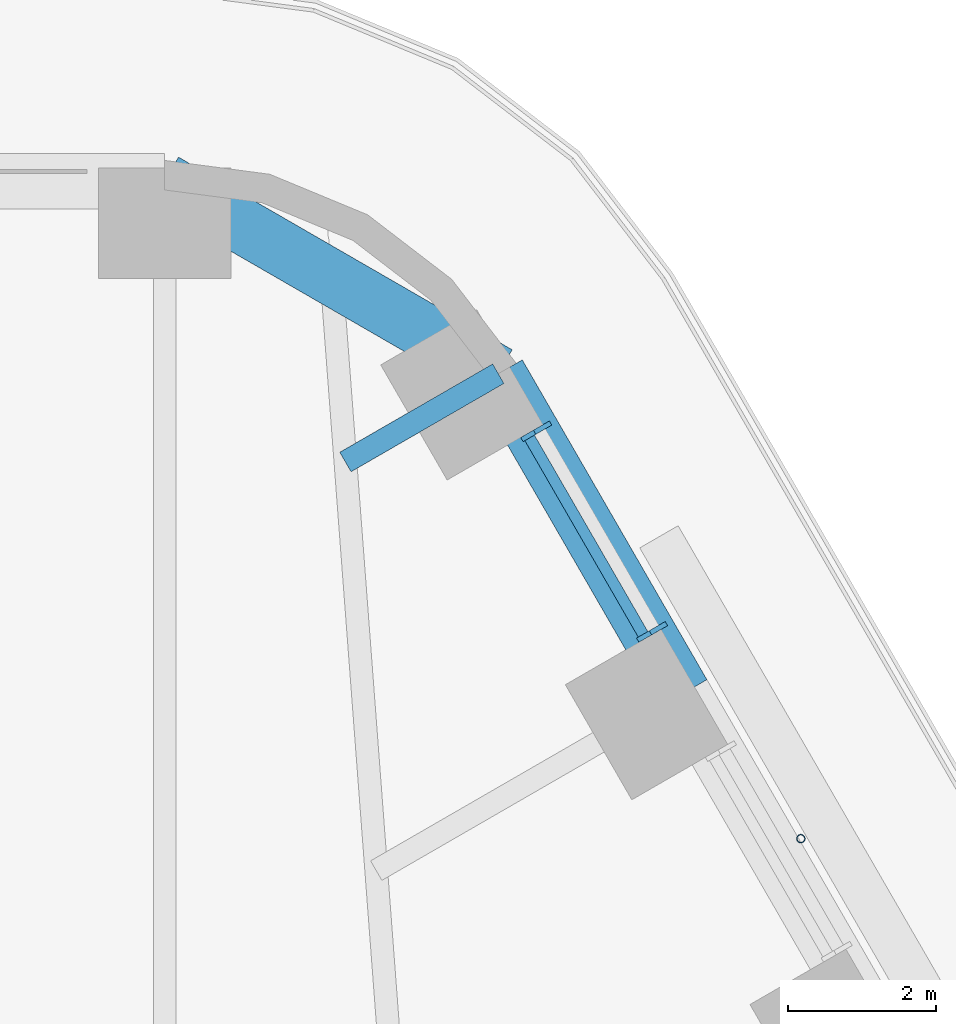
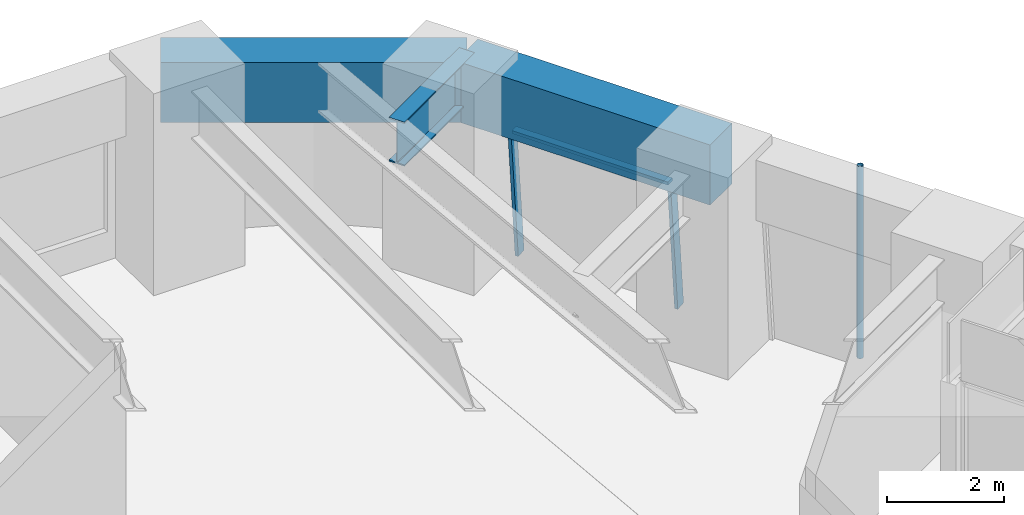
# One storey, part 13 of 24: 4 members, 3 beams, 1 element without a shape of its own.
"""IFC4 building model written with IfcOpenShell, lengths in metres."""

from ifc_helpers import new_model, si_unit, direction, frame, origin, origin_2d, place, context, subcontext, project, spatial, rectangle, hollow_circle, i_section, extrude, material, material_profile, profile_set, type_object, element, aggregate, save


model = new_model("IFC4")

# Units and contexts
model_context = context("Model", 3, precision=1e-05, world=origin(), true_north=direction((0.0, 1.0)))
body_context = subcontext(model_context, "Body", "Model", "MODEL_VIEW")
ifc_project = project(units=[si_unit("LENGTHUNIT", "METRE"), si_unit("AREAUNIT", "SQUARE_METRE"), si_unit("VOLUMEUNIT", "CUBIC_METRE"), si_unit("PLANEANGLEUNIT", "RADIAN"), si_unit("MASSUNIT", "GRAM", prefix="KILO")], contexts=[model_context])

# Site, building, storey
site_placement = place(None, origin())
site = spatial("IfcSite", under=ifc_project, at=site_placement, CompositionType="ELEMENT")
building_placement = place(site_placement, origin())
building = spatial("IfcBuilding", under=site, at=building_placement, Name="Tarfa Lantern Tower", CompositionType="ELEMENT")
storey_placement = place(building_placement, frame((0.0, 0.0, 136.300048828125)))
storey = spatial("IfcBuildingStorey", under=building, at=storey_placement, Name="L30", CompositionType="ELEMENT", Elevation=136.300048828125)

# Curtain wall, members
ifc_material_1 = material(Name="Aluminium framed curtain wall", Category="aluminium")
curtain_wall_type = type_object("IfcCurtainWallType", Name="CW2 CANTED GLAZING MID ZONE 2750", PredefinedType="USERDEFINED", material=ifc_material_1)
curtain_wall_placement = place(storey_placement, origin())
curtain_wall = element("IfcCurtainWall", 1, at=curtain_wall_placement, inside=storey, type_object=curtain_wall_type, Name="CW2 NEB L30", ObjectType="CURTAIN WALL", PredefinedType="USERDEFINED")
ifc_material_2 = material(Name="Aluminium mullion", Category="aluminium")
ifc_material_profile_1 = material_profile(ifc_material_2, rectangle(XDim=0.06494140625, YDim=0.199951171875, at=origin_2d()), Name="AL MULLION 65x200")
ifc_profile_set_1 = profile_set([ifc_material_profile_1], Name="Aluminium mullion")
member_type_1 = type_object("IfcMemberType", Name="CWM1 MULLION 65x200", PredefinedType="MULLION", material=ifc_profile_set_1)
member_1_placement = place(storey_placement, frame((21.72314453125, 25.17431640625, 0.0), z_axis=(-0.078335079308, -0.045268127094, 0.995898796073), x_axis=(0.500342721131, -0.865827443207, 0.0)))
member_1 = element("IfcMember", 2, at=member_1_placement, type_object=member_type_1, Name="CW2 mullion 1", PredefinedType="MULLION", context=body_context, shape_type="SweptSolid", body=[
    extrude(rectangle(XDim=0.06494140625, YDim=0.199951171875, at=origin_2d()), origin(), (0.0, 0.0, 1.0), 2.76123046875),
])
member_2_placement = place(storey_placement, frame((20.15380859375, 27.892333984375, 0.0), z_axis=(-0.078335079308, -0.045268127094, 0.995898796073), x_axis=(0.500342721131, -0.865827443207, 0.0)))
member_2 = element("IfcMember", 3, at=member_2_placement, type_object=member_type_1, Name="CW2 mullion 2", PredefinedType="MULLION", context=body_context, shape_type="SweptSolid", body=[
    extrude(rectangle(XDim=0.06494140625, YDim=0.199951171875, at=origin_2d()), origin(), (0.0, 0.0, 1.0), 2.76123046875),
])
ifc_material_3 = material(Name="Aluminium transom", Category="aluminium")
ifc_material_profile_2 = material_profile(ifc_material_3, rectangle(XDim=0.14990234375, YDim=0.06494140625, at=origin_2d()), Name="AL TRANSOM 150x65")
ifc_profile_set_2 = profile_set([ifc_material_profile_2], Name="Aluminium transom")
member_type_2 = type_object("IfcMemberType", Name="CWT1 TRANSOM 150x65", PredefinedType="USERDEFINED", material=ifc_profile_set_2)
member_3_placement = place(storey_placement, frame((21.4931640625, 25.078857421875, 2.717529296875), z_axis=(-0.500008936691, 0.866020244122, 0.0), x_axis=(-0.866020244122, -0.500008936691, 0.0)))
member_3 = element("IfcMember", 4, at=member_3_placement, type_object=member_type_2, Name="CW2 transom 1.2", ObjectType="TRANSOM", PredefinedType="USERDEFINED", context=body_context, shape_type="SweptSolid", body=[
    extrude(rectangle(XDim=0.14990234375, YDim=0.06494140625, at=origin_2d()), origin(), (0.0, 0.0, 1.0), 3.07373046875),
])
aggregate(curtain_wall, [member_1, member_2, member_3])

# Beams
ifc_material_4 = material(Name="Concrete C80/95", Category="concrete")
ifc_material_profile_3 = material_profile(ifc_material_4, rectangle(XDim=0.75, YDim=1.25, at=origin_2d()), Name="RC 750x1250")
ifc_profile_set_3 = profile_set([ifc_material_profile_3], Name="Concrete C80/95")
beam_type_1 = type_object("IfcBeamType", Name="EB2 RC 750x1250", PredefinedType="SPANDREL", material=ifc_profile_set_3)
beam_1_placement = place(storey_placement, frame((22.03369140625, 24.276611328125, 3.375), z_axis=(-0.500001197378, 0.866024712477, 0.0), x_axis=(-0.866024712477, -0.500001197378, 0.0)))
element("IfcBeam", 5, at=beam_1_placement, inside=storey, type_object=beam_type_1, Name="Edge beam NE5", PredefinedType="SPANDREL", context=body_context, shape_type="SweptSolid", body=[
    extrude(rectangle(XDim=0.75, YDim=1.25, at=origin_2d()), origin(), (0.0, 0.0, 1.0), 5.00390625),
])
beam_2_placement = place(storey_placement, frame((19.53173828125, 28.610107421875, 3.375), z_axis=(-0.86604150238, 0.499972115377, 0.0), x_axis=(-0.499972115377, -0.86604150238, 0.0)))
element("IfcBeam", 6, at=beam_2_placement, inside=storey, type_object=beam_type_1, Name="Edge beam NE6", PredefinedType="SPANDREL", context=body_context, shape_type="SweptSolid", body=[
    extrude(rectangle(XDim=0.75, YDim=1.25, at=origin_2d()), origin(), (0.0, 0.0, 1.0), 5.219970703125),
])

# Member
ifc_material_5 = material(Name="Steel S355", Category="steel")
ifc_material_profile_4 = material_profile(ifc_material_5, hollow_circle(Radius=0.05712890625, WallThickness=0.00634765625, at=origin_2d()), Name="CHS114.3x6.3")
ifc_profile_set_4 = profile_set([ifc_material_profile_4], Name="Steel S355")
member_type_3 = type_object("IfcMemberType", Name="TR1 GREEN WALL TRELLIS CHS114.3x6.3", PredefinedType="USERDEFINED", material=ifc_profile_set_4)
member_4_placement = place(storey_placement, frame((23.630859375, 22.31005859375, 0.0), z_axis=(0.0, 0.0, 1.0), x_axis=(1.0, 0.0, 0.0)))
element("IfcMember", 7, at=member_4_placement, inside=storey, type_object=member_type_3, Name="Trellis post NE 2", ObjectType="TRELLIS", PredefinedType="USERDEFINED", context=body_context, shape_type="SweptSolid", body=[
    extrude(hollow_circle(Radius=0.05712890625, WallThickness=0.00634765625, at=origin_2d()), origin(), (0.0, 0.0, 1.0), 4.0),
])

# Beam
ifc_material_6 = material(Name="Steel S460M", Category="steel")
ifc_material_profile_5 = material_profile(ifc_material_6, i_section(OverallWidth=0.305419921875, OverallDepth=0.91845703125, WebThickness=0.017333984375, FlangeThickness=0.02783203125, FilletRadius=0.01904296875, at=origin_2d()), Name="UB914x305x253")
ifc_profile_set_5 = profile_set([ifc_material_profile_5], Name="Steel S460M")
beam_type_2 = type_object("IfcBeamType", Name="UB914x305x253", PredefinedType="BEAM", material=ifc_profile_set_5)
beam_3_placement = place(storey_placement, frame((19.53173828125, 28.610107421875, 3.540771484375), z_axis=(-0.865998640954, -0.500046351717, 0.0), x_axis=(0.500046351717, -0.865998640954, 0.0)))
element("IfcBeam", 8, at=beam_3_placement, inside=storey, type_object=beam_type_2, Name="Floor beam NE6", PredefinedType="BEAM", context=body_context, shape_type="SweptSolid", body=[
    extrude(i_section(OverallWidth=0.305419921875, OverallDepth=0.91845703125, WebThickness=0.017333984375, FlangeThickness=0.02783203125, FilletRadius=0.01904296875, at=origin_2d()), origin(), (0.0, 0.0, 1.0), 2.392333984375),
])

save(model, "model.ifc")
